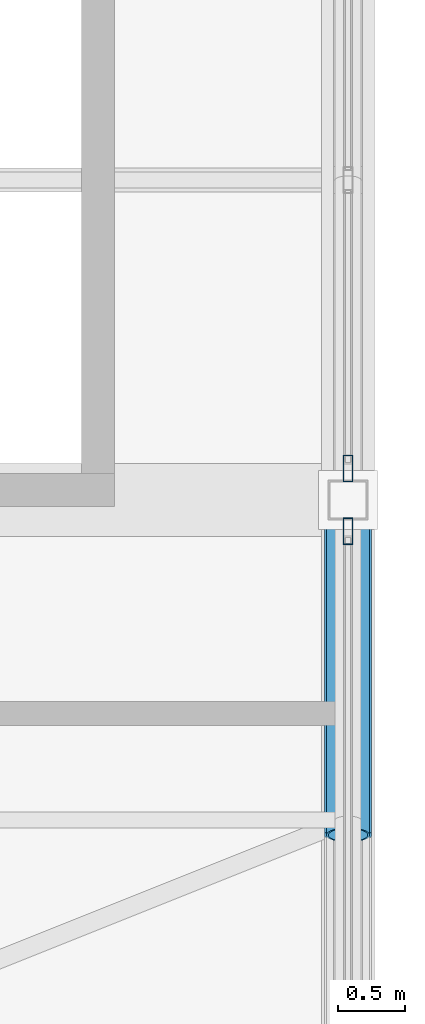
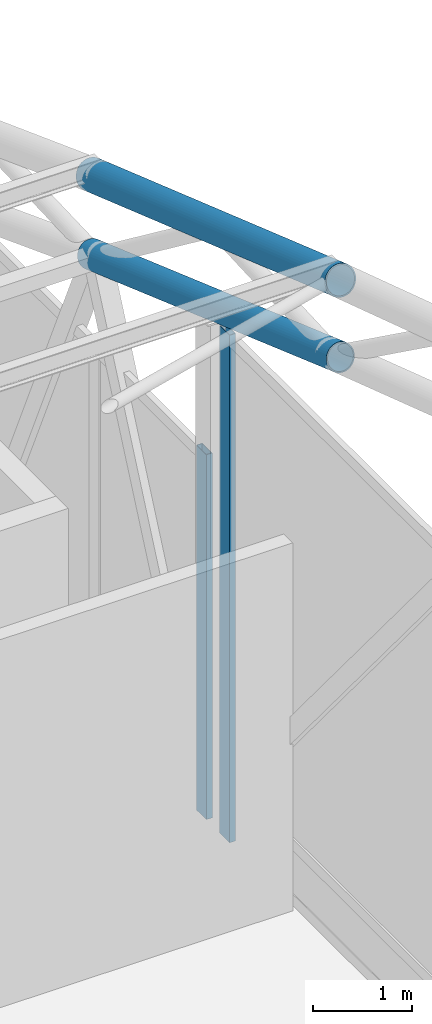
# One storey, part 59 of 116: 4 members, 2 elements without a shape of their own.
"""IFC4 building model written with IfcOpenShell, lengths in metres."""

from ifc_helpers import new_model, si_unit, direction, frame, origin, origin_2d, place, context, subcontext, project, spatial, hollow_rectangle, hollow_circle, extrude, material, material_profile, profile_set, type_object, element, aggregate, save


model = new_model("IFC4")

# Units and contexts
model_context = context("Model", 3, precision=1e-05, world=origin(), true_north=direction((0.0, 1.0)))
body_context = subcontext(model_context, "Body", "Model", "MODEL_VIEW")
ifc_project = project(units=[si_unit("LENGTHUNIT", "METRE"), si_unit("AREAUNIT", "SQUARE_METRE"), si_unit("VOLUMEUNIT", "CUBIC_METRE"), si_unit("PLANEANGLEUNIT", "RADIAN"), si_unit("MASSUNIT", "GRAM", prefix="KILO")], contexts=[model_context])

# Site, building, storey
site_placement = place(None, origin())
site = spatial("IfcSite", under=ifc_project, at=site_placement, CompositionType="ELEMENT")
building_placement = place(site_placement, origin())
building = spatial("IfcBuilding", under=site, at=building_placement, Name="Cendralis Lancet Convention Centre", CompositionType="ELEMENT")
storey_placement = place(building_placement, frame((0.0, 0.0, 15.0)))
storey = spatial("IfcBuildingStorey", under=building, at=storey_placement, Name="L03", CompositionType="ELEMENT", Elevation=15.0)

# Curtain wall, member
ifc_material_1 = material(Name="Anodised bronze architectural aluminium", Category="aluminium")
curtain_wall_type = type_object("IfcCurtainWallType", Name="ARC-CW-PL02", PredefinedType="USERDEFINED", material=ifc_material_1)
curtain_wall_1_placement = place(storey_placement, origin())
curtain_wall_1 = element("IfcCurtainWall", 1, at=curtain_wall_1_placement, inside=storey, type_object=curtain_wall_type, Name="L03 Curtain Wall CW-PL2 #143", ObjectType="CURTAIN WALL", PredefinedType="USERDEFINED")
ifc_material_profile_1 = material_profile(ifc_material_1, hollow_rectangle(XDim=0.070068359375, YDim=0.199951171875, WallThickness=0.0048828125, at=origin_2d()), Name="AL-MULL 70x200x5.0")
ifc_profile_set_1 = profile_set([ifc_material_profile_1], Name="Anodised bronze architectural aluminium")
member_type_1 = type_object("IfcMemberType", Name="ARC-CW-ML02", PredefinedType="MULLION", material=ifc_profile_set_1)
member_1_placement = place(storey_placement, frame((208.800048828125, 78.965087890625, 0.0), z_axis=(0.0, 0.0, 1.0), x_axis=(1.0, 0.0, 0.0)))
member_1 = element("IfcMember", 2, at=member_1_placement, type_object=member_type_1, Name="Mullion CW2-CW-PL2-L03-143-M0", PredefinedType="MULLION", context=body_context, shape_type="SweptSolid", body=[
    extrude(hollow_rectangle(XDim=0.070068359375, YDim=0.199951171875, WallThickness=0.0048828125, at=origin_2d()), origin(), (0.0, 0.0, 1.0), 6.2548828125),
])
aggregate(curtain_wall_1, [member_1])

curtain_wall_2_placement = place(storey_placement, origin())
curtain_wall_2 = element("IfcCurtainWall", 3, at=curtain_wall_2_placement, inside=storey, type_object=curtain_wall_type, Name="L03 Curtain Wall CW-PL2 #144", ObjectType="CURTAIN WALL", PredefinedType="USERDEFINED")
member_2_placement = place(storey_placement, frame((208.800048828125, 79.43505859375, 0.0), z_axis=(0.0, 0.0, 1.0), x_axis=(1.0, 0.0, 0.0)))
member_2 = element("IfcMember", 4, at=member_2_placement, type_object=member_type_1, Name="Mullion CW2-CW-PL2-L03-144-M2", PredefinedType="MULLION", context=body_context, shape_type="SweptSolid", body=[
    extrude(hollow_rectangle(XDim=0.070068359375, YDim=0.199951171875, WallThickness=0.0048828125, at=origin_2d()), origin(), (0.0, 0.0, 1.0), 4.4970703125),
])
aggregate(curtain_wall_2, [member_2])

# Members
ifc_material_2 = material(Name="Steel S355", Category="steel")
ifc_material_profile_2 = material_profile(ifc_material_2, hollow_circle(Radius=0.161865234375, WallThickness=0.01416015625, at=origin_2d()), Name="CHS 323.9x14.2")
ifc_profile_set_2 = profile_set([ifc_material_profile_2], Name="Steel S355")
member_type_2 = type_object("IfcMemberType", Name="STR-TR-BC02", PredefinedType="CHORD", material=ifc_profile_set_2)
member_3_placement = place(storey_placement, frame((208.800048828125, 76.68701171875, 7.29345703125), z_axis=(0.0, 0.942788943503, -0.333390173833), x_axis=(-1.0, 0.0, 0.0)))
element("IfcMember", 5, at=member_3_placement, inside=storey, type_object=member_type_2, Name="ROOF TRUSS AT-V2-10 Bottom Chord 07", PredefinedType="CHORD", context=body_context, shape_type="SweptSolid", body=[
    extrude(hollow_circle(Radius=0.161865234375, WallThickness=0.01416015625, at=origin_2d()), origin(), (0.0, 0.0, 1.0), 5.3310546875),
])
ifc_material_profile_3 = material_profile(ifc_material_2, hollow_circle(Radius=0.177734375, WallThickness=0.01611328125, at=origin_2d()), Name="CHS 355.6x16.0")
ifc_profile_set_3 = profile_set([ifc_material_profile_3], Name="Steel S355")
member_type_3 = type_object("IfcMemberType", Name="STR-TR-TC02", PredefinedType="CHORD", material=ifc_profile_set_3)
member_4_placement = place(storey_placement, frame((208.800048828125, 76.6865234375, 8.241943359375), z_axis=(0.0, 0.944848505706, -0.327507711764), x_axis=(-1.0, 0.0, 0.0)))
element("IfcMember", 6, at=member_4_placement, inside=storey, type_object=member_type_3, Name="ROOF TRUSS AT-V2-10 Top Chord 07", PredefinedType="CHORD", context=body_context, shape_type="SweptSolid", body=[
    extrude(hollow_circle(Radius=0.177734375, WallThickness=0.01611328125, at=origin_2d()), origin(), (0.0, 0.0, 1.0), 5.3203125),
])

save(model, "model.ifc")
